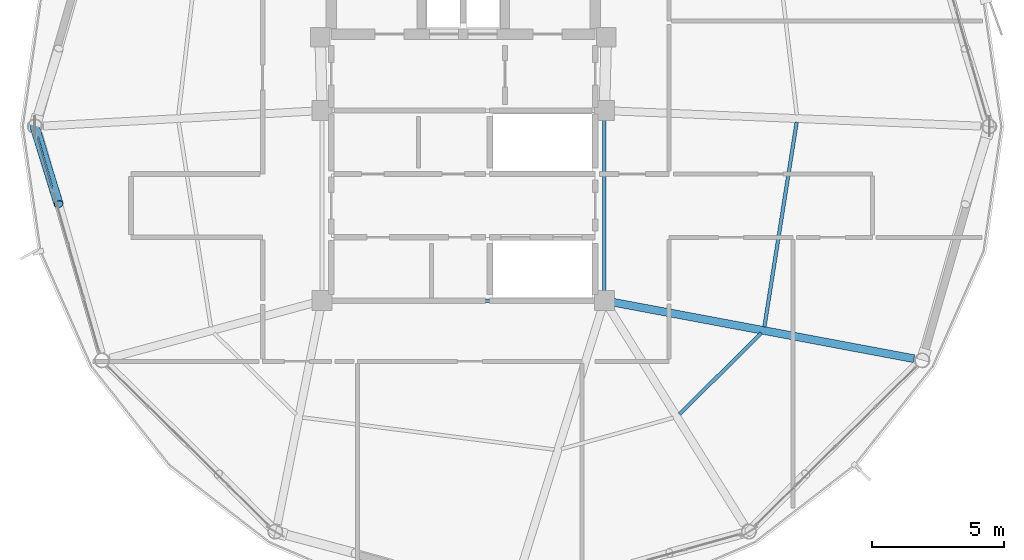
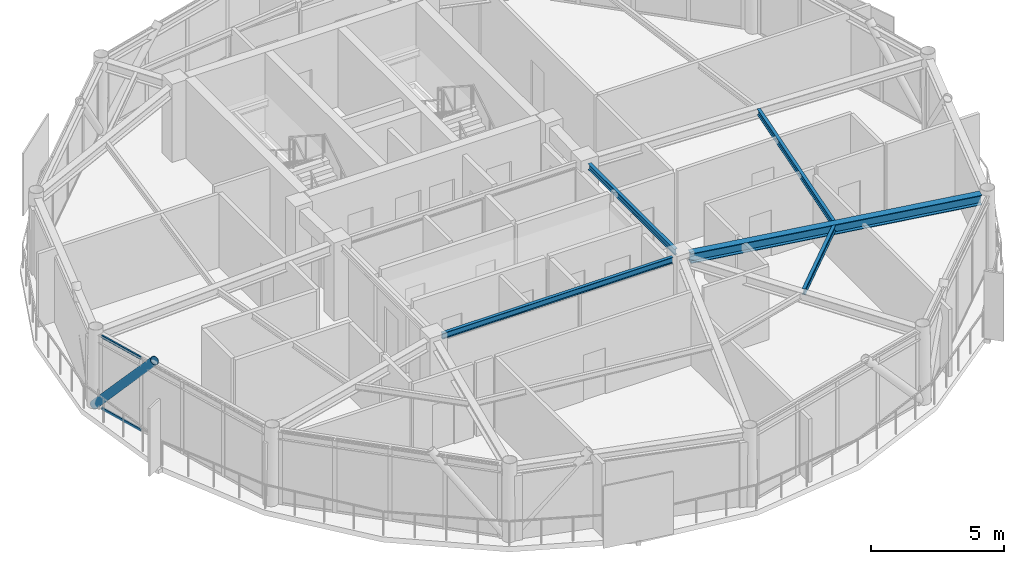
# One storey, part 9 of 26: 5 beams, 3 members, 1 element without a shape of its own.
"""IFC4 building model written with IfcOpenShell, lengths in metres."""

from ifc_helpers import new_model, si_unit, direction, frame, origin, origin_2d, place, context, subcontext, project, spatial, hollow_rectangle, hollow_circle, i_section, extrude, material, layer, layer_set, material_profile, profile_set, type_object, element, aggregate, save


model = new_model("IFC4")

# Units and contexts
model_context = context("Model", 3, precision=1e-05, world=origin(), true_north=direction((0.0, 1.0)))
body_context = subcontext(model_context, "Body", "Model", "MODEL_VIEW")
ifc_project = project(units=[si_unit("LENGTHUNIT", "METRE"), si_unit("AREAUNIT", "SQUARE_METRE"), si_unit("VOLUMEUNIT", "CUBIC_METRE"), si_unit("PLANEANGLEUNIT", "RADIAN"), si_unit("MASSUNIT", "GRAM", prefix="KILO")], contexts=[model_context])

# Site, building, storey
site_placement = place(None, origin())
site = spatial("IfcSite", under=ifc_project, at=site_placement, CompositionType="ELEMENT")
building_placement = place(site_placement, origin())
building = spatial("IfcBuilding", under=site, at=building_placement, Name="Varnakorn Sky Granary", CompositionType="ELEMENT")
storey_placement = place(building_placement, frame((0.0, 0.0, 270.60009765625)))
storey = spatial("IfcBuildingStorey", under=building, at=storey_placement, Name="L69", CompositionType="ELEMENT", Elevation=270.60009765625)

# Beams
ifc_material_1 = material(Name="Steel S355JR", Category="steel")
ifc_material_profile_1 = material_profile(ifc_material_1, i_section(OverallWidth=0.300048828125, OverallDepth=0.449951171875, WebThickness=0.013916015625, FlangeThickness=0.02587890625, at=origin_2d()), Name="HE 450 B")
ifc_profile_set_1 = profile_set([ifc_material_profile_1], Name="Steel S355JR")
beam_type_1 = type_object("IfcBeamType", Name="BM-RAD-Z5", PredefinedType="BEAM", material=ifc_profile_set_1)
beam_1_placement = place(storey_placement, frame((8.698974609375, -6.66552734375, 3.135009765625), z_axis=(0.982842815623, -0.184445113184, 0.0), x_axis=(0.184445113184, 0.982842815623, 0.0)))
element("IfcBeam", 1, at=beam_1_placement, inside=storey, type_object=beam_type_1, Name="Radial Floor Girder RG12 L69", PredefinedType="BEAM", context=body_context, shape_type="SweptSolid", body=[
    extrude(i_section(OverallWidth=0.300048828125, OverallDepth=0.449951171875, WebThickness=0.013916015625, FlangeThickness=0.02587890625, at=origin_2d()), origin(), (0.0, 0.0, 1.0), 11.579345703125),
])
ifc_material_profile_2 = material_profile(ifc_material_1, i_section(OverallWidth=0.135009765625, OverallDepth=0.27001953125, WebThickness=0.006591796875, FlangeThickness=0.01025390625, at=origin_2d()), Name="IPE 270")
ifc_profile_set_2 = profile_set([ifc_material_profile_2], Name="Steel S355JR")
beam_type_2 = type_object("IfcBeamType", Name="BM-SEC-Z5", PredefinedType="BEAM", material=ifc_profile_set_2)
beam_2_placement = place(storey_placement, frame((11.19482421875, -10.904052734375, 3.224853515625), z_axis=(0.70973322239, 0.704470548026, 0.0), x_axis=(-0.704470548026, 0.70973322239, 0.0)))
element("IfcBeam", 2, at=beam_2_placement, inside=storey, type_object=beam_type_2, Name="Secondary Floor Chord Beam MSB11 L69", PredefinedType="BEAM", context=body_context, shape_type="SweptSolid", body=[
    extrude(i_section(OverallWidth=0.135009765625, OverallDepth=0.27001953125, WebThickness=0.006591796875, FlangeThickness=0.01025390625, at=origin_2d()), origin(), (0.0, 0.0, 1.0), 4.36083984375),
])
beam_3_placement = place(storey_placement, frame((14.4111328125, -7.59521484375, 3.224853515625), z_axis=(0.155734215825, 0.987798994746, 0.0), x_axis=(-0.987798994746, 0.155734215825, 0.0)))
element("IfcBeam", 3, at=beam_3_placement, inside=storey, type_object=beam_type_2, Name="Secondary Floor Chord Beam MSB12 L69", PredefinedType="BEAM", context=body_context, shape_type="SweptSolid", body=[
    extrude(i_section(OverallWidth=0.135009765625, OverallDepth=0.27001953125, WebThickness=0.006591796875, FlangeThickness=0.01025390625, at=origin_2d()), origin(), (0.0, 0.0, 1.0), 7.850830078125),
])
beam_4_placement = place(storey_placement, frame((8.35009765625, 0.2451171875, 3.224853515625), z_axis=(0.0, -1.0, 0.0), x_axis=(1.0, 0.0, 0.0)))
element("IfcBeam", 4, at=beam_4_placement, inside=storey, type_object=beam_type_2, Name="Core Spine Framing Beam 4 L69", PredefinedType="BEAM", context=body_context, shape_type="SweptSolid", body=[
    extrude(i_section(OverallWidth=0.135009765625, OverallDepth=0.27001953125, WebThickness=0.006591796875, FlangeThickness=0.01025390625, at=origin_2d()), origin(), (0.0, 0.0, 1.0), 6.490234375),
])
beam_5_placement = place(storey_placement, frame((-1.9951171875, -6.60009765625, 3.224853515625), z_axis=(1.0, 0.0, 0.0), x_axis=(0.0, 1.0, 0.0)))
element("IfcBeam", 5, at=beam_5_placement, inside=storey, type_object=beam_type_2, Name="Core Spine Framing Beam 6 L69", PredefinedType="BEAM", context=body_context, shape_type="SweptSolid", body=[
    extrude(i_section(OverallWidth=0.135009765625, OverallDepth=0.27001953125, WebThickness=0.006591796875, FlangeThickness=0.01025390625, at=origin_2d()), origin(), (0.0, 0.0, 1.0), 9.990234375),
])

# Curtain wall, members
ifc_material_2 = material(Name="Anodised Bronze Aluminium Alloy 6063-T6", Category="aluminium")
ifc_layer = layer(ifc_material_2, 0.159912109375, Name="Anodised Bronze Aluminium Alloy 6063-T6")
ifc_layer_set = layer_set([ifc_layer], Name="Anodised Bronze Aluminium Alloy 6063-T6")
curtain_wall_type = type_object("IfcCurtainWallType", Name="CW-OFF-1", PredefinedType="USERDEFINED", material=ifc_layer_set)
curtain_wall_placement = place(storey_placement, origin())
curtain_wall = element("IfcCurtainWall", 6, at=curtain_wall_placement, inside=storey, type_object=curtain_wall_type, Name="Unitised Curtain Wall CW6 CW-L69-B07", ObjectType="CURTAIN WALL", PredefinedType="USERDEFINED")
ifc_material_profile_3 = material_profile(ifc_material_2, hollow_rectangle(XDim=0.06494140625, YDim=0.1201171875, WallThickness=0.00341796875, at=origin_2d()), Name="ALU TRAN 65x120")
ifc_profile_set_3 = profile_set([ifc_material_profile_3], Name="Anodised Bronze Aluminium Alloy 6063-T6")
member_type_1 = type_object("IfcMemberType", Name="CW-OFF-1-TRAN", PredefinedType="USERDEFINED", material=ifc_profile_set_3)
member_1_placement = place(storey_placement, frame((-12.566162109375, -2.3486328125, 0.032470703125), z_axis=(-0.275448649448, 0.961315786574, 0.0), x_axis=(-0.961315786574, -0.275448649448, 0.0)))
member_1 = element("IfcMember", 7, at=member_1_placement, type_object=member_type_1, Name="CW6 transom 4.1", ObjectType="TRANSOM", PredefinedType="USERDEFINED", context=body_context, shape_type="SweptSolid", body=[
    extrude(hollow_rectangle(XDim=0.06494140625, YDim=0.1201171875, WallThickness=0.00341796875, at=origin_2d()), origin(), (0.0, 0.0, 1.0), 2.03857421875),
])
member_2_placement = place(storey_placement, frame((-12.566162109375, -2.3486328125, 3.327392578125), z_axis=(-0.275448649448, 0.961315786574, 0.0), x_axis=(-0.961315786574, -0.275448649448, 0.0)))
member_2 = element("IfcMember", 8, at=member_2_placement, type_object=member_type_1, Name="CW6 transom 4.2", ObjectType="TRANSOM", PredefinedType="USERDEFINED", context=body_context, shape_type="SweptSolid", body=[
    extrude(hollow_rectangle(XDim=0.06494140625, YDim=0.1201171875, WallThickness=0.00341796875, at=origin_2d()), origin(), (0.0, 0.0, 1.0), 2.03857421875),
])
aggregate(curtain_wall, [member_1, member_2])

# Member
ifc_material_3 = material(Name="Steel S460M", Category="steel")
ifc_material_profile_4 = material_profile(ifc_material_3, hollow_circle(Radius=0.177734375, WallThickness=0.01416015625, at=origin_2d()), Name="CHS 355.6x14")
ifc_profile_set_4 = profile_set([ifc_material_profile_4], Name="Steel S460M")
member_type_2 = type_object("IfcMemberType", Name="MB-DIAG-T5", PredefinedType="BRACE", material=ifc_profile_set_4)
member_3_placement = place(storey_placement, frame((-13.239013671875, 0.0, 0.0), z_axis=(0.195687606788, -0.633063816015, 0.748956985015), x_axis=(0.955396962308, 0.295324642408, 0.0)))
element("IfcMember", 9, at=member_3_placement, inside=storey, type_object=member_type_2, Name="Perimeter CHS Diagrid Brace DG07 L69", PredefinedType="BRACE", context=body_context, shape_type="SweptSolid", body=[
    extrude(hollow_circle(Radius=0.177734375, WallThickness=0.01416015625, at=origin_2d()), origin(), (0.0, 0.0, 1.0), 4.659912109375),
])

save(model, "model.ifc")
